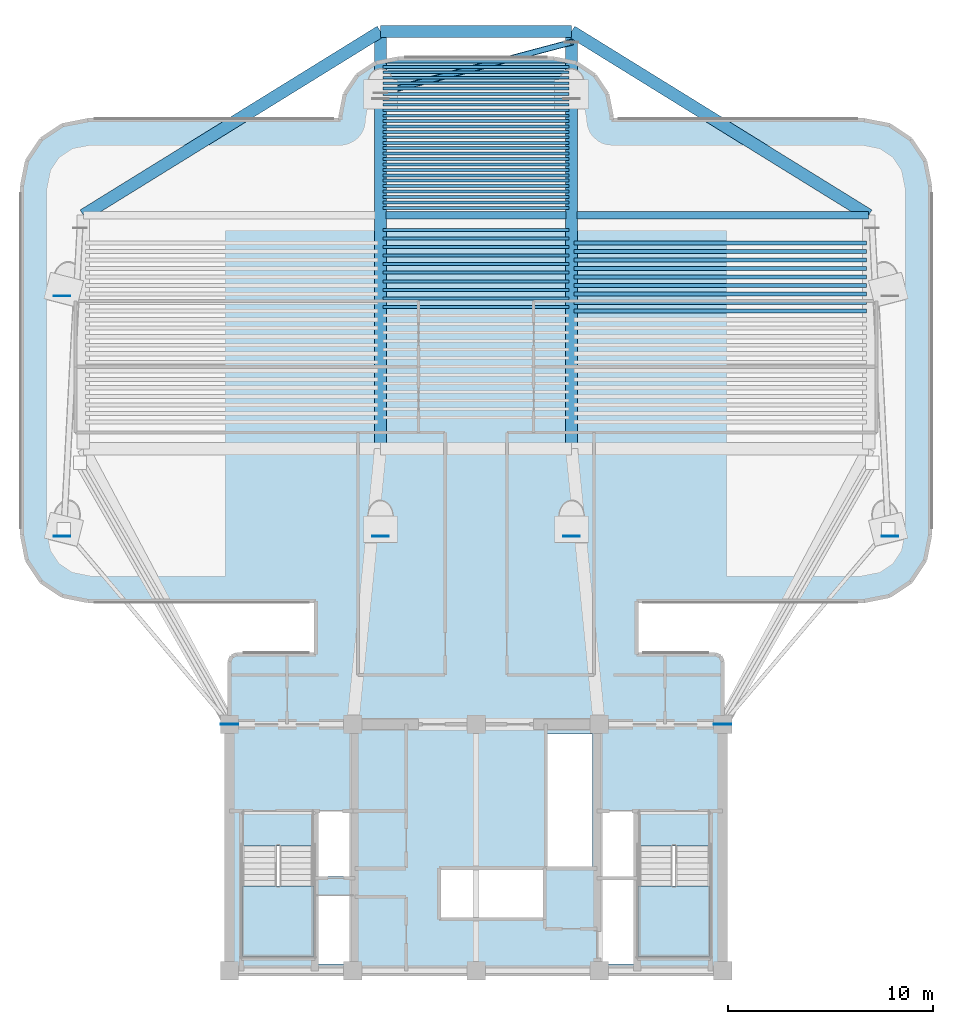
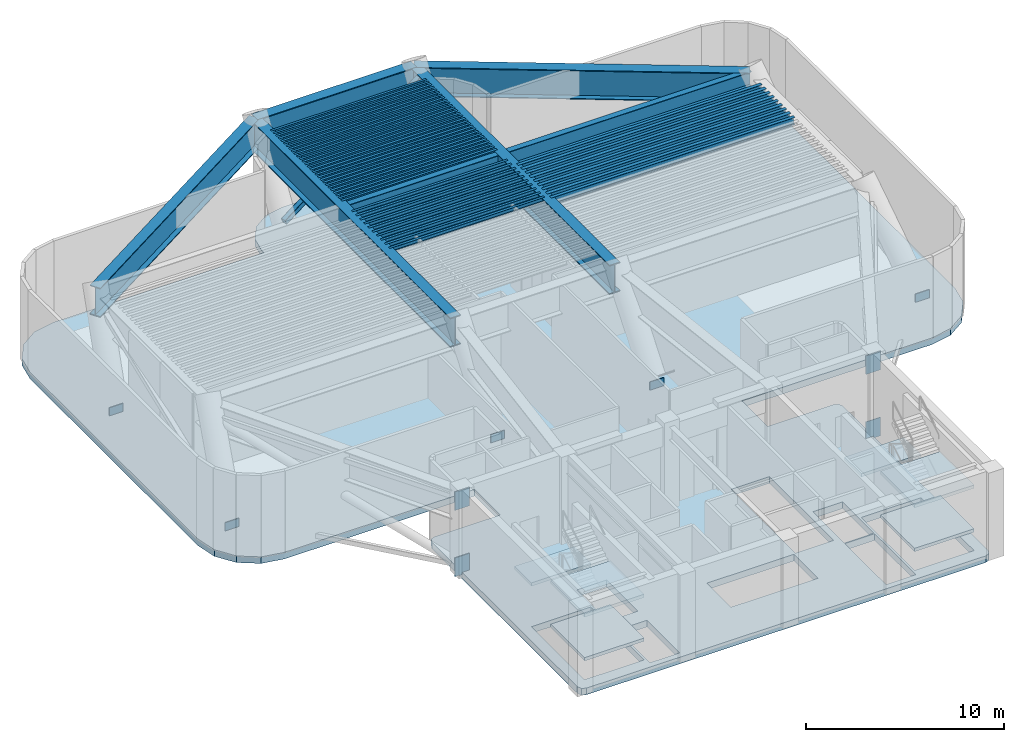
# One storey, part 2 of 10: 54 beams, 9 plates, 7 slabs, 1 member, 2 elements without a shape of their own.
"""IFC4 building model written with IfcOpenShell, lengths in metres."""

import ifcopenshell
import ifcopenshell.guid

model = None  # the IFC model being written
_history = None  # IfcOwnerHistory: only IFC2X3 demands one
_inside = {}  # id of a spatial element -> (the spatial element, [elements in it])
_under = {}  # id of a project, library or spatial element -> (it, [spatial elements below it])
_declared = {}  # id of a project -> (the project, [libraries it declares])
_typed = {}  # id of a type object -> (the type object, [elements of that type])
_made_of = {}  # id of a material, layer set ... -> (it, [elements and type objects made of it])


def new_model(schema):
    """Start an empty IFC model of exactly this schema.

    Asked for "IFC4X3", IfcOpenShell would pick the latest addendum, in which some entities
    have other attributes; the version numbers below select the first issue.
    IFC2X3 requires an IfcOwnerHistory on every rooted entity: one is made here for all.
    """
    global model, _history
    if schema == "IFC4X3":
        model = ifcopenshell.file(schema_version=(4, 3, 0, 0))
    else:
        model = ifcopenshell.file(schema=schema)
    _inside.clear()
    _under.clear()
    _declared.clear()
    _typed.clear()
    _made_of.clear()
    _history = None
    if model.schema == "IFC2X3":
        org = make("IfcOrganization", Name="unknown")
        user = make(
            "IfcPersonAndOrganization",
            ThePerson=make("IfcPerson", FamilyName="unknown"),
            TheOrganization=org,
        )
        app = make(
            "IfcApplication",
            ApplicationDeveloper=org,
            Version="unknown",
            ApplicationFullName="unknown",
            ApplicationIdentifier="unknown",
        )
        _history = make(
            "IfcOwnerHistory",
            OwningUser=user,
            OwningApplication=app,
            ChangeAction="ADDED",
            CreationDate=0,
        )
    return model


def make(cls, **values):
    """One entity of the class cls with the attributes given. An attribute that is None is left unset."""
    return model.create_entity(
        cls, **{name: value for name, value in values.items() if value is not None}
    )


def rooted(cls, **values):
    """An entity with a GlobalId (a new one), such as an element, a storey or a relation."""
    return make(cls, GlobalId=ifcopenshell.guid.new(), OwnerHistory=_history, **values)


def si_unit(unit_type, name, prefix=None):
    """IfcSIUnit, for example si_unit("LENGTHUNIT", "METRE", prefix="MILLI")."""
    return make("IfcSIUnit", UnitType=unit_type, Prefix=prefix, Name=name)


def assignment(units):
    """IfcUnitAssignment: the units of a project."""
    return None if units is None else make("IfcUnitAssignment", Units=units)


def point(xyz):
    """IfcCartesianPoint."""
    return None if xyz is None else make("IfcCartesianPoint", Coordinates=xyz)


def direction(xyz):
    """IfcDirection."""
    return None if xyz is None else make("IfcDirection", DirectionRatios=xyz)


def frame(location, z_axis=None, x_axis=None):
    """IfcAxis2Placement3D, a coordinate frame: its origin and axes. An axis left out is left unset."""
    return make(
        "IfcAxis2Placement3D",
        Location=point(location),
        Axis=direction(z_axis),
        RefDirection=direction(x_axis),
    )


def frame_2d(location, x_axis=None):
    """IfcAxis2Placement2D, a coordinate frame in the plane: its origin and x axis."""
    return make(
        "IfcAxis2Placement2D", Location=point(location), RefDirection=direction(x_axis)
    )


def origin():
    """The frame at (0, 0, 0) with its axes left unset."""
    return frame((0.0, 0.0, 0.0))


def origin_2d():
    """The frame at (0, 0) in the plane with its x axis left unset."""
    return frame_2d((0.0, 0.0))


def place(relative_to, where):
    """IfcLocalPlacement: puts the frame where relative to a parent placement (None: the world)."""
    return make(
        "IfcLocalPlacement", PlacementRelTo=relative_to, RelativePlacement=where
    )


def context(
    kind, dimensions, precision=None, world=None, true_north=None, identifier=None
):
    """IfcGeometricRepresentationContext, for example the 3D "Model" context."""
    return make(
        "IfcGeometricRepresentationContext",
        ContextIdentifier=identifier,
        ContextType=kind,
        CoordinateSpaceDimension=dimensions,
        Precision=precision,
        WorldCoordinateSystem=world,
        TrueNorth=true_north,
    )


def subcontext(parent, identifier, kind, view, scale=None):
    """IfcGeometricRepresentationSubContext, for example "Body" below "Model"."""
    return make(
        "IfcGeometricRepresentationSubContext",
        ContextIdentifier=identifier,
        ContextType=kind,
        ParentContext=parent,
        TargetScale=scale,
        TargetView=view,
    )


def project(units=None, contexts=None):
    """IfcProject with its units and contexts."""
    return rooted(
        "IfcProject",
        Name="project",
        RepresentationContexts=contexts,
        UnitsInContext=assignment(units),
    )


def spatial(cls, under=None, at=None, **own):
    """A site, building, storey or space (cls), placed at a placement, below another one or the project."""
    s = rooted(cls, ObjectPlacement=at, **own)
    if under is not None:
        _under.setdefault(under.id(), (under, []))[1].append(s)
    return s


def polyline(points):
    """IfcPolyline through the points."""
    return make("IfcPolyline", Points=[point(p) for p in points])


def profile(cls, at=None, kind="AREA", **sizes):
    """A parametric profile (cls). Its sizes go by their IFC names, for example OverallWidth=200.0."""
    return make(cls, ProfileType=kind, Position=at, **sizes)


def rectangle(**sizes):
    """IfcRectangleProfileDef."""
    return profile("IfcRectangleProfileDef", **sizes)


def hollow_rectangle(**sizes):
    """IfcRectangleHollowProfileDef."""
    return profile("IfcRectangleHollowProfileDef", **sizes)


def i_section(**sizes):
    """IfcIShapeProfileDef."""
    return profile("IfcIShapeProfileDef", **sizes)


def outline(outer, holes=None, kind="AREA"):
    """IfcArbitraryClosedProfileDef: a profile drawn as a closed curve; with holes, ...WithVoids."""
    if holes is None:
        return make("IfcArbitraryClosedProfileDef", ProfileType=kind, OuterCurve=outer)
    return make(
        "IfcArbitraryProfileDefWithVoids",
        ProfileType=kind,
        OuterCurve=outer,
        InnerCurves=holes,
    )


def extrude(swept, where, along, depth):
    """IfcExtrudedAreaSolid: the profile swept, set in the frame where, extruded along a direction by depth."""
    return make(
        "IfcExtrudedAreaSolid",
        SweptArea=swept,
        Position=where,
        ExtrudedDirection=direction(along),
        Depth=depth,
    )


def shape(context_of_items, identifier, shape_type, items):
    """IfcShapeRepresentation: the items that make up one representation, for example the "Body"."""
    return make(
        "IfcShapeRepresentation",
        ContextOfItems=context_of_items,
        RepresentationIdentifier=identifier,
        RepresentationType=shape_type,
        Items=items,
    )


def source(mapping_origin, context_of_items, identifier, shape_type, items):
    """IfcRepresentationMap: a shape defined once, which mapped items show again and again."""
    return make(
        "IfcRepresentationMap",
        MappingOrigin=mapping_origin,
        MappedRepresentation=shape(context_of_items, identifier, shape_type, items),
    )


def transform(
    local_origin,
    x_axis=None,
    y_axis=None,
    z_axis=None,
    scale=None,
    scale2=None,
    scale3=None,
    uniform=True,
):
    """IfcCartesianTransformationOperator3D, or its non-uniform kind. x_axis, y_axis, z_axis: its Axis1, 2, 3."""
    if uniform:
        return make(
            "IfcCartesianTransformationOperator3D",
            Axis1=direction(x_axis),
            Axis2=direction(y_axis),
            LocalOrigin=point(local_origin),
            Scale=scale,
            Axis3=direction(z_axis),
        )
    return make(
        "IfcCartesianTransformationOperator3DnonUniform",
        Axis1=direction(x_axis),
        Axis2=direction(y_axis),
        LocalOrigin=point(local_origin),
        Scale=scale,
        Axis3=direction(z_axis),
        Scale2=scale2,
        Scale3=scale3,
    )


def mapped(mapping_source, mapping_target):
    """IfcMappedItem: shows the shape of a source again, moved by a transform."""
    return make(
        "IfcMappedItem", MappingSource=mapping_source, MappingTarget=mapping_target
    )


def material(Name=None, Category=None):
    """IfcMaterial."""
    return make("IfcMaterial", Name=Name, Category=Category)


def layer(
    of_material, thickness, ventilated=None, Name=None, Category=None, Priority=None
):
    """IfcMaterialLayer: one layer of a wall or slab, of a material (None: an air gap)."""
    return make(
        "IfcMaterialLayer",
        Material=of_material,
        LayerThickness=thickness,
        IsVentilated=ventilated,
        Name=Name,
        Category=Category,
        Priority=Priority,
    )


def layer_set(layers, Name=None):
    """IfcMaterialLayerSet."""
    return make("IfcMaterialLayerSet", MaterialLayers=layers, LayerSetName=Name)


def material_profile(
    of_material, cross_section, Name=None, Category=None, Priority=None
):
    """IfcMaterialProfile: a cross section and its material."""
    return make(
        "IfcMaterialProfile",
        Name=Name,
        Material=of_material,
        Profile=cross_section,
        Priority=Priority,
        Category=Category,
    )


def profile_set(profiles, Name=None, composite=None):
    """IfcMaterialProfileSet."""
    return make(
        "IfcMaterialProfileSet",
        Name=Name,
        MaterialProfiles=profiles,
        CompositeProfile=composite,
    )


def made_of(thing, what):
    """Note that an element or type object is made of a material, layer set ...; save() writes the relation."""
    if what is not None:
        _made_of.setdefault(what.id(), (what, []))[1].append(thing)
    return thing


def type_object(cls, material=None, **own):
    """A type object (cls), such as IfcWallType, which elements share."""
    return made_of(rooted(cls, **own), material)


def element(
    cls,
    number,
    at=None,
    inside=None,
    cuts=None,
    type_object=None,
    material=None,
    context=None,
    identifier="Body",
    shape_type=None,
    held_by="IfcProductDefinitionShape",
    body=None,
    shapes=None,
    **own,
):
    """One element of the class cls, such as IfcWall. Its Tag is "e" and its number.

    at: its placement. inside: the storey or other place that contains it. cuts: it is an
    opening in that element (IfcRelVoidsElement). A single representation is given by context,
    identifier, shape_type and body (its items); several are given by shapes. held_by: the class
    of the entity that holds the representations. save() writes the other relations.
    """
    e = rooted(cls, Tag="e%d" % number, ObjectPlacement=at, **own)
    if body is not None:
        shapes = [shape(context, identifier, shape_type, body)]
    if shapes is not None:
        e.Representation = make(held_by, Representations=shapes)
    if inside is not None:
        _inside.setdefault(inside.id(), (inside, []))[1].append(e)
    if cuts is not None:
        rooted(
            "IfcRelVoidsElement", RelatingBuildingElement=cuts, RelatedOpeningElement=e
        )
    if type_object is not None:
        _typed.setdefault(type_object.id(), (type_object, []))[1].append(e)
    return made_of(e, material)


def aggregate(whole, parts):
    """IfcRelAggregates: a whole, such as a stair, and the parts it consists of."""
    return rooted("IfcRelAggregates", RelatingObject=whole, RelatedObjects=parts)


def save(model, path):
    """Write the relations noted so far, then the file.

    IfcRelAggregates (storeys below a building ...), IfcRelContainedInSpatialStructure (elements
    in a storey), IfcRelDefinesByType, IfcRelAssociatesMaterial and IfcRelDeclares: one each for
    every whole, place, type object, material and project.
    """
    for whole, parts in _under.values():
        aggregate(whole, parts)
    for where, things in _inside.values():
        rooted(
            "IfcRelContainedInSpatialStructure",
            RelatedElements=things,
            RelatingStructure=where,
        )
    for kind, things in _typed.values():
        rooted("IfcRelDefinesByType", RelatedObjects=things, RelatingType=kind)
    for what, things in _made_of.values():
        rooted("IfcRelAssociatesMaterial", RelatedObjects=things, RelatingMaterial=what)
    for by, libraries in _declared.values():
        rooted("IfcRelDeclares", RelatingContext=by, RelatedDefinitions=libraries)
    model.write(path)


model = new_model("IFC4")

# Units and contexts
model_context = context("Model", 3, precision=1e-05, world=origin(), true_north=direction((0.0, 1.0)))
body_context = subcontext(model_context, "Body", "Model", "MODEL_VIEW")
ifc_project = project(units=[si_unit("LENGTHUNIT", "METRE"), si_unit("AREAUNIT", "SQUARE_METRE"), si_unit("VOLUMEUNIT", "CUBIC_METRE"), si_unit("PLANEANGLEUNIT", "RADIAN"), si_unit("MASSUNIT", "GRAM", prefix="KILO")], contexts=[model_context])

# Site, building, storey
site_placement = place(None, origin())
site = spatial("IfcSite", under=ifc_project, at=site_placement, CompositionType="ELEMENT")
building_placement = place(site_placement, origin())
building = spatial("IfcBuilding", under=site, at=building_placement, Name="Brelvock Crest Care Tower", CompositionType="ELEMENT")
storey_placement = place(building_placement, frame((0.0, 0.0, 146.52001953125)))
storey = spatial("IfcBuildingStorey", under=building, at=storey_placement, Name="L37", CompositionType="ELEMENT", Elevation=146.52001953125)

# Beams
ifc_material_1 = material(Name="Steel Grade 350", Category="steel")
ifc_material_profile_1 = material_profile(ifc_material_1, i_section(OverallWidth=0.60009765625, OverallDepth=1.800048828125, WebThickness=0.028076171875, FlangeThickness=0.052001953125, at=origin_2d()), Name="1800TG740")
ifc_profile_set_1 = profile_set([ifc_material_profile_1], Name="Steel Grade 350")
beam_type_1 = type_object("IfcBeamType", Name="BM-TG1", PredefinedType="USERDEFINED", material=ifc_profile_set_1)
shared_shape_1 = source(origin(), body_context, "Body", "SweptSolid", [
    extrude(i_section(OverallWidth=0.60009765625, OverallDepth=1.800048828125, WebThickness=0.028076171875, FlangeThickness=0.052001953125, at=origin_2d()), origin(), (0.0, 0.0, 1.0), 9.2998046875),
])
beam_1_placement = place(storey_placement, frame((31.35009765625, 51.72265625, 4.179931640625), z_axis=(1.0, 0.0, 0.0), x_axis=(0.0, 1.0, 0.0)))
element("IfcBeam", 1, at=beam_1_placement, inside=storey, type_object=beam_type_1, Name="BM-TWR-L37-08", ObjectType="GIRDER", PredefinedType="USERDEFINED", context=body_context, shape_type="MappedRepresentation", body=[
    mapped(shared_shape_1, transform((0.0, 0.0, 0.0), x_axis=(1.0, 0.0, 0.0), y_axis=(0.0, 1.0, 0.0), z_axis=(0.0, 0.0, 1.0), scale=1.0)),
])
ifc_material_profile_2 = material_profile(ifc_material_1, i_section(OverallWidth=0.14599609375, OverallDepth=0.256103515625, WebThickness=0.00634765625, FlangeThickness=0.010986328125, FilletRadius=0.0087890625, at=origin_2d()), Name="250UB37.3")
ifc_profile_set_2 = profile_set([ifc_material_profile_2], Name="Steel Grade 350")
beam_type_2 = type_object("IfcBeamType", Name="BM-J3", PredefinedType="JOIST", material=ifc_profile_set_2)
shared_shape_2 = source(origin(), body_context, "Body", "SweptSolid", [
    extrude(i_section(OverallWidth=0.14599609375, OverallDepth=0.256103515625, WebThickness=0.00634765625, FlangeThickness=0.010986328125, FilletRadius=0.0087890625, at=origin_2d()), origin(), (0.0, 0.0, 1.0), 9.06982421875),
])
for number, where, z_axis, x_axis, name in (
    (2, (31.465087890625, 38.31640625, 4.951904296875), (1.0, 0.0, 0.0), (0.0, 1.0, 0.0), "BM-JH-L37-16"),
    (3, (31.465087890625, 38.7314453125, 4.951904296875), (1.0, 0.0, 0.0), (0.0, 1.0, 0.0), "BM-JH-L37-17"),
    (4, (31.465087890625, 39.146484375, 4.951904296875), (1.0, 0.0, 0.0), (0.0, 1.0, 0.0), "BM-JH-L37-18"),
    (5, (31.465087890625, 39.561767578125, 4.951904296875), (1.0, 0.0, 0.0), (0.0, 1.0, 0.0), "BM-JH-L37-19"),
    (6, (31.465087890625, 39.976806640625, 4.951904296875), (1.0, 0.0, 0.0), (0.0, 1.0, 0.0), "BM-JH-L37-20"),
    (7, (31.465087890625, 40.391845703125, 4.951904296875), (1.0, 0.0, 0.0), (0.0, 1.0, 0.0), "BM-JH-L37-21"),
    (8, (31.465087890625, 40.806884765625, 4.951904296875), (1.0, 0.0, 0.0), (0.0, 1.0, 0.0), "BM-JH-L37-22"),
    (9, (31.465087890625, 41.22216796875, 4.951904296875), (1.0, 0.0, 0.0), (0.0, 1.0, 0.0), "BM-JH-L37-23"),
    (10, (31.465087890625, 41.63720703125, 4.951904296875), (1.0, 0.0, 0.0), (0.0, 1.0, 0.0), "BM-JH-L37-24"),
    (11, (31.465087890625, 42.05224609375, 4.951904296875), (1.0, 0.0, 0.0), (0.0, 1.0, 0.0), "BM-JH-L37-25"),
    (12, (31.465087890625, 43.135009765625, 4.951904296875), (1.0, 0.0, 0.0), (0.0, 1.0, 0.0), "BM-JN-L37-1"),
    (13, (31.465087890625, 43.39892578125, 4.951904296875), (1.0, 0.0, 0.0), (0.0, 1.0, 0.0), "BM-JN-L37-2"),
    (14, (31.465087890625, 43.662841796875, 4.951904296875), (1.0, 0.0, 0.0), (0.0, 1.0, 0.0), "BM-JN-L37-3"),
    (15, (31.465087890625, 43.9267578125, 4.951904296875), (1.0, 0.0, 0.0), (0.0, 1.0, 0.0), "BM-JN-L37-4"),
    (16, (31.465087890625, 44.190673828125, 4.951904296875), (1.0, 0.0, 0.0), (0.0, 1.0, 0.0), "BM-JN-L37-5"),
    (17, (31.465087890625, 44.45458984375, 4.951904296875), (1.0, 0.0, 0.0), (0.0, 1.0, 0.0), "BM-JN-L37-6"),
    (18, (31.465087890625, 44.718505859375, 4.951904296875), (1.0, 0.0, 0.0), (0.0, 1.0, 0.0), "BM-JN-L37-7"),
    (19, (31.465087890625, 44.982421875, 4.951904296875), (1.0, 0.0, 0.0), (0.0, 1.0, 0.0), "BM-JN-L37-8"),
    (20, (31.465087890625, 45.24609375, 4.951904296875), (1.0, 0.0, 0.0), (0.0, 1.0, 0.0), "BM-JN-L37-9"),
    (21, (31.465087890625, 45.510009765625, 4.951904296875), (1.0, 0.0, 0.0), (0.0, 1.0, 0.0), "BM-JN-L37-10"),
    (22, (31.465087890625, 45.77392578125, 4.951904296875), (1.0, 0.0, 0.0), (0.0, 1.0, 0.0), "BM-JN-L37-11"),
    (23, (31.465087890625, 46.037841796875, 4.951904296875), (1.0, 0.0, 0.0), (0.0, 1.0, 0.0), "BM-JN-L37-12"),
    (24, (31.465087890625, 46.3017578125, 4.951904296875), (1.0, 0.0, 0.0), (0.0, 1.0, 0.0), "BM-JN-L37-13"),
):
    element("IfcBeam", number, at=place(storey_placement, frame(where, z_axis=z_axis, x_axis=x_axis)), inside=storey, type_object=beam_type_2, Name=name, PredefinedType="JOIST", context=body_context, shape_type="MappedRepresentation", body=[
        mapped(shared_shape_2, transform((0.0, 0.0, 0.0), x_axis=(1.0, 0.0, 0.0), y_axis=(0.0, 1.0, 0.0), z_axis=(0.0, 0.0, 1.0), scale=1.0)),
    ])
ifc_material_profile_3 = material_profile(ifc_material_1, i_section(OverallWidth=0.134033203125, OverallDepth=0.20703125, WebThickness=0.00634765625, FlangeThickness=0.009521484375, FilletRadius=0.0087890625, at=origin_2d()), Name="200UB29.8")
ifc_profile_set_3 = profile_set([ifc_material_profile_3], Name="Steel Grade 350")
beam_type_3 = type_object("IfcBeamType", Name="BM-J4", PredefinedType="JOIST", material=ifc_profile_set_3)
shared_shape_3 = source(origin(), body_context, "Body", "SweptSolid", [
    extrude(i_section(OverallWidth=0.134033203125, OverallDepth=0.20703125, WebThickness=0.00634765625, FlangeThickness=0.009521484375, FilletRadius=0.0087890625, at=origin_2d()), origin(), (0.0, 0.0, 1.0), 9.06982421875),
])
for number, where, z_axis, x_axis, name in (
    (25, (31.465087890625, 46.565673828125, 4.9765625), (1.0, 0.0, 0.0), (0.0, 1.0, 0.0), "BM-JN-L37-14"),
    (26, (31.465087890625, 46.82958984375, 4.9765625), (1.0, 0.0, 0.0), (0.0, 1.0, 0.0), "BM-JN-L37-15"),
    (27, (31.465087890625, 47.093505859375, 4.9765625), (1.0, 0.0, 0.0), (0.0, 1.0, 0.0), "BM-JN-L37-16"),
    (28, (31.465087890625, 47.357421875, 4.9765625), (1.0, 0.0, 0.0), (0.0, 1.0, 0.0), "BM-JN-L37-17"),
    (29, (31.465087890625, 47.62109375, 4.9765625), (1.0, 0.0, 0.0), (0.0, 1.0, 0.0), "BM-JN-L37-18"),
    (30, (31.465087890625, 47.885009765625, 4.9765625), (1.0, 0.0, 0.0), (0.0, 1.0, 0.0), "BM-JN-L37-19"),
    (31, (31.465087890625, 48.14892578125, 4.9765625), (1.0, 0.0, 0.0), (0.0, 1.0, 0.0), "BM-JN-L37-20"),
    (32, (31.465087890625, 48.412841796875, 4.9765625), (1.0, 0.0, 0.0), (0.0, 1.0, 0.0), "BM-JN-L37-21"),
    (33, (31.465087890625, 48.6767578125, 4.9765625), (1.0, 0.0, 0.0), (0.0, 1.0, 0.0), "BM-JN-L37-22"),
    (34, (31.465087890625, 48.940673828125, 4.9765625), (1.0, 0.0, 0.0), (0.0, 1.0, 0.0), "BM-JN-L37-23"),
    (35, (31.465087890625, 49.20458984375, 4.9765625), (1.0, 0.0, 0.0), (0.0, 1.0, 0.0), "BM-JN-L37-24"),
    (36, (31.465087890625, 49.468505859375, 4.9765625), (1.0, 0.0, 0.0), (0.0, 1.0, 0.0), "BM-JN-L37-25"),
    (37, (31.465087890625, 49.732421875, 4.9765625), (1.0, 0.0, 0.0), (0.0, 1.0, 0.0), "BM-JN-L37-26"),
    (38, (31.465087890625, 49.99609375, 4.9765625), (1.0, 0.0, 0.0), (0.0, 1.0, 0.0), "BM-JN-L37-27"),
    (39, (31.465087890625, 50.260009765625, 4.9765625), (1.0, 0.0, 0.0), (0.0, 1.0, 0.0), "BM-JN-L37-28"),
):
    element("IfcBeam", number, at=place(storey_placement, frame(where, z_axis=z_axis, x_axis=x_axis)), inside=storey, type_object=beam_type_3, Name=name, PredefinedType="JOIST", context=body_context, shape_type="MappedRepresentation", body=[
        mapped(shared_shape_3, transform((0.0, 0.0, 0.0), x_axis=(1.0, 0.0, 0.0), y_axis=(0.0, 1.0, 0.0), z_axis=(0.0, 0.0, 1.0), scale=1.0)),
    ])
ifc_material_profile_4 = material_profile(ifc_material_1, i_section(OverallWidth=0.35009765625, OverallDepth=0.89990234375, WebThickness=0.01611328125, FlangeThickness=0.028076171875, at=origin_2d()), Name="900WB257")
ifc_profile_set_4 = profile_set([ifc_material_profile_4], Name="Steel Grade 350")
beam_type_4 = type_object("IfcBeamType", Name="BM-G6", PredefinedType="BEAM", material=ifc_profile_set_4)
shared_shape_4 = source(origin(), body_context, "Body", "SweptSolid", [
    extrude(i_section(OverallWidth=0.35009765625, OverallDepth=0.89990234375, WebThickness=0.01611328125, FlangeThickness=0.028076171875, at=origin_2d()), origin(), (0.0, 0.0, 1.0), 8.77978515625),
])
beam_2_placement = place(storey_placement, frame((31.610107421875, 42.77734375, 4.6298828125), z_axis=(1.0, 0.0, 0.0), x_axis=(0.0, 1.0, 0.0)))
element("IfcBeam", 40, at=beam_2_placement, inside=storey, type_object=beam_type_4, Name="BM-TIE-L37-C", PredefinedType="BEAM", context=body_context, shape_type="MappedRepresentation", body=[
    mapped(shared_shape_4, transform((0.0, 0.0, 0.0), x_axis=(1.0, 0.0, 0.0), y_axis=(0.0, 1.0, 0.0), z_axis=(0.0, 0.0, 1.0), scale=1.0)),
])
shared_shape_5 = source(origin(), body_context, "Body", "SweptSolid", [
    extrude(i_section(OverallWidth=0.60009765625, OverallDepth=1.800048828125, WebThickness=0.028076171875, FlangeThickness=0.052001953125, at=origin_2d()), origin(), (0.0, 0.0, 1.0), 17.00634765625),
])
for number, where, z_axis, x_axis, name in (
    (41, (16.886474609375, 42.77734375, 4.179931640625), (0.850485046787, 0.525999225466, 0.0), (-0.525999225466, 0.850485046787, 0.0), "BM-TWR-L37-06"),
    (42, (40.64990234375, 51.72265625, 4.179931640625), (0.850485046787, -0.525999225466, 0.0), (0.525999225466, 0.850485046787, 0.0), "BM-TWR-L37-07"),
):
    element("IfcBeam", number, at=place(storey_placement, frame(where, z_axis=z_axis, x_axis=x_axis)), inside=storey, type_object=beam_type_1, Name=name, ObjectType="GIRDER", PredefinedType="USERDEFINED", context=body_context, shape_type="MappedRepresentation", body=[
        mapped(shared_shape_5, transform((0.0, 0.0, 0.0), x_axis=(1.0, 0.0, 0.0), y_axis=(0.0, 1.0, 0.0), z_axis=(0.0, 0.0, 1.0), scale=1.0)),
    ])
shared_shape_6 = source(origin(), body_context, "Body", "SweptSolid", [
    extrude(i_section(OverallWidth=0.60009765625, OverallDepth=1.800048828125, WebThickness=0.028076171875, FlangeThickness=0.052001953125, at=origin_2d()), origin(), (0.0, 0.0, 1.0), 20.318115234375),
])
for number, where, z_axis, x_axis, name in (
    (43, (31.35009765625, 31.404541015625, 4.179931640625), (0.0, 1.0, 0.0), (-1.0, 0.0, 0.0), "BM-TWR-L37-09"),
    (44, (40.64990234375, 31.404541015625, 4.179931640625), (0.0, 1.0, 0.0), (-1.0, 0.0, 0.0), "BM-TWR-L37-10"),
):
    element("IfcBeam", number, at=place(storey_placement, frame(where, z_axis=z_axis, x_axis=x_axis)), inside=storey, type_object=beam_type_1, Name=name, ObjectType="GIRDER", PredefinedType="USERDEFINED", context=body_context, shape_type="MappedRepresentation", body=[
        mapped(shared_shape_6, transform((0.0, 0.0, 0.0), x_axis=(1.0, 0.0, 0.0), y_axis=(0.0, 1.0, 0.0), z_axis=(0.0, 0.0, 1.0), scale=1.0)),
    ])
shared_shape_7 = source(origin(), body_context, "Body", "SweptSolid", [
    extrude(i_section(OverallWidth=0.35009765625, OverallDepth=0.89990234375, WebThickness=0.01611328125, FlangeThickness=0.028076171875, at=origin_2d()), origin(), (0.0, 0.0, 1.0), 14.20361328125),
])
beam_3_placement = place(storey_placement, frame((40.909912109375, 42.77734375, 4.6298828125), z_axis=(1.0, 0.0, 0.0), x_axis=(0.0, 1.0, 0.0)))
element("IfcBeam", 45, at=beam_3_placement, inside=storey, type_object=beam_type_4, Name="BM-TIE-L37-E", PredefinedType="BEAM", context=body_context, shape_type="MappedRepresentation", body=[
    mapped(shared_shape_7, transform((0.0, 0.0, 0.0), x_axis=(1.0, 0.0, 0.0), y_axis=(0.0, 1.0, 0.0), z_axis=(0.0, 0.0, 1.0), scale=1.0)),
])
ifc_material_profile_5 = material_profile(ifc_material_1, i_section(OverallWidth=0.208984375, OverallDepth=0.532958984375, WebThickness=0.01025390625, FlangeThickness=0.015625, FilletRadius=0.013916015625, at=origin_2d()), Name="530UB92.4")
ifc_profile_set_5 = profile_set([ifc_material_profile_5], Name="Steel Grade 350")
beam_type_5 = type_object("IfcBeamType", Name="BM-G2", PredefinedType="BEAM", material=ifc_profile_set_5)
shared_shape_8 = source(origin(), body_context, "Body", "SweptSolid", [
    extrude(i_section(OverallWidth=0.208984375, OverallDepth=0.532958984375, WebThickness=0.01025390625, FlangeThickness=0.015625, FilletRadius=0.013916015625, at=origin_2d()), origin(), (0.0, 0.0, 1.0), 14.233642578125),
])
for number, where, z_axis, x_axis, name in (
    (46, (40.764892578125, 38.52392578125, 4.8134765625), (1.0, 0.0, 0.0), (0.0, 1.0, 0.0), "BM-JE-L37-17"),
    (47, (40.764892578125, 39.35400390625, 4.8134765625), (1.0, 0.0, 0.0), (0.0, 1.0, 0.0), "BM-JE-L37-19"),
    (48, (40.764892578125, 40.184326171875, 4.8134765625), (1.0, 0.0, 0.0), (0.0, 1.0, 0.0), "BM-JE-L37-21"),
    (49, (40.764892578125, 41.014404296875, 4.8134765625), (1.0, 0.0, 0.0), (0.0, 1.0, 0.0), "BM-JE-L37-23"),
):
    element("IfcBeam", number, at=place(storey_placement, frame(where, z_axis=z_axis, x_axis=x_axis)), inside=storey, type_object=beam_type_5, Name=name, PredefinedType="BEAM", context=body_context, shape_type="MappedRepresentation", body=[
        mapped(shared_shape_8, transform((0.0, 0.0, 0.0), x_axis=(1.0, 0.0, 0.0), y_axis=(0.0, 1.0, 0.0), z_axis=(0.0, 0.0, 1.0), scale=1.0)),
    ])
ifc_material_profile_6 = material_profile(ifc_material_1, i_section(OverallWidth=0.19091796875, OverallDepth=0.4599609375, WebThickness=0.010009765625, FlangeThickness=0.01611328125, FilletRadius=0.011474609375, at=origin_2d()), Name="460UB82.1")
ifc_profile_set_6 = profile_set([ifc_material_profile_6], Name="Steel Grade 350")
beam_type_6 = type_object("IfcBeamType", Name="BM-G3", PredefinedType="BEAM", material=ifc_profile_set_6)
shared_shape_9 = source(origin(), body_context, "Body", "SweptSolid", [
    extrude(i_section(OverallWidth=0.19091796875, OverallDepth=0.4599609375, WebThickness=0.010009765625, FlangeThickness=0.01611328125, FilletRadius=0.011474609375, at=origin_2d()), origin(), (0.0, 0.0, 1.0), 14.233642578125),
])
for number, where, z_axis, x_axis, name in (
    (50, (40.764892578125, 38.10888671875, 4.85009765625), (1.0, 0.0, 0.0), (0.0, 1.0, 0.0), "BM-JE-L37-16"),
    (51, (40.764892578125, 38.93896484375, 4.85009765625), (1.0, 0.0, 0.0), (0.0, 1.0, 0.0), "BM-JE-L37-18"),
    (52, (40.764892578125, 39.769287109375, 4.85009765625), (1.0, 0.0, 0.0), (0.0, 1.0, 0.0), "BM-JE-L37-20"),
    (53, (40.764892578125, 40.599365234375, 4.85009765625), (1.0, 0.0, 0.0), (0.0, 1.0, 0.0), "BM-JE-L37-22"),
    (54, (40.764892578125, 41.4296875, 4.85009765625), (1.0, 0.0, 0.0), (0.0, 1.0, 0.0), "BM-JE-L37-24"),
):
    element("IfcBeam", number, at=place(storey_placement, frame(where, z_axis=z_axis, x_axis=x_axis)), inside=storey, type_object=beam_type_6, Name=name, PredefinedType="BEAM", context=body_context, shape_type="MappedRepresentation", body=[
        mapped(shared_shape_9, transform((0.0, 0.0, 0.0), x_axis=(1.0, 0.0, 0.0), y_axis=(0.0, 1.0, 0.0), z_axis=(0.0, 0.0, 1.0), scale=1.0)),
    ])

# Member
ifc_material_profile_7 = material_profile(ifc_material_1, hollow_rectangle(XDim=0.300048828125, YDim=0.300048828125, WallThickness=0.01611328125, OuterFilletRadius=0.031982421875, at=origin_2d()), Name="SHS300x300x16.0")
ifc_profile_set_7 = profile_set([ifc_material_profile_7], Name="Steel Grade 350")
member_type = type_object("IfcMemberType", Name="MEM-BR4", PredefinedType="BRACE", material=ifc_profile_set_7)
shared_shape_10 = source(origin(), body_context, "Body", "SweptSolid", [
    extrude(hollow_rectangle(XDim=0.300048828125, YDim=0.300048828125, WallThickness=0.01611328125, OuterFilletRadius=0.031982421875, at=origin_2d()), origin(), (0.0, 0.0, 1.0), 10.4521484375),
])
member_placement = place(storey_placement, frame((31.35009765625, 48.72265625, 0.449951171875), z_axis=(0.889750428494, 0.236569157298, 0.390357795889), x_axis=(-0.256955147612, 0.966423329662, 0.0)))
element("IfcMember", 55, at=member_placement, inside=storey, type_object=member_type, Name="L37 Belt Truss Brace BN-1", PredefinedType="BRACE", context=body_context, shape_type="MappedRepresentation", body=[
    mapped(shared_shape_10, transform((0.0, 0.0, 0.0), x_axis=(1.0, 0.0, 0.0), y_axis=(0.0, 1.0, 0.0), z_axis=(0.0, 0.0, 1.0), scale=1.0)),
])

# Slab
ifc_material_2 = material(Name="Concrete N50 (50 MPa)", Category="concrete")
ifc_layer_1 = layer(ifc_material_2, 0.407958984375, Name="SLB-FL5")
ifc_layer_set_1 = layer_set([ifc_layer_1], Name="Concrete N50 (50 MPa)")
slab_type_1 = type_object("IfcSlabType", Name="SLB-FL5", PredefinedType="FLOOR", material=ifc_layer_set_1)
slab_1_placement = place(storey_placement, frame((0.0, 0.0, -0.407958984375)))
element("IfcSlab", 56, at=slab_1_placement, inside=storey, type_object=slab_type_1, Name="L37 Main Structural Slab", PredefinedType="FLOOR", context=body_context, shape_type="SweptSolid", body=[
    extrude(outline(polyline([(47.64990234375, 21.39990234375), (43.800048828125, 21.39990234375), (43.800048828125, 24.0), (54.89990234375, 24.0), (56.12451171875, 24.24365234375), (57.16259765625, 24.937255859375), (57.8564453125, 25.975341796875), (58.10009765625, 27.199951171875), (58.10009765625, 44.199951171875), (57.8564453125, 45.424560546875), (57.16259765625, 46.462646484375), (56.12451171875, 47.156494140625), (54.89990234375, 47.39990234375), (42.60009765625, 47.39990234375), (42.60009765625, 47.60009765625), (42.386962890625, 48.67138671875), (41.77978515625, 49.579833984375), (40.87158203125, 50.18701171875), (39.800048828125, 50.39990234375), (32.199951171875, 50.39990234375), (31.12841796875, 50.18701171875), (30.22021484375, 49.579833984375), (29.613037109375, 48.67138671875), (29.39990234375, 47.60009765625), (29.39990234375, 47.39990234375), (17.10009765625, 47.39990234375), (15.87548828125, 47.156494140625), (14.83740234375, 46.462646484375), (14.1435546875, 45.424560546875), (13.89990234375, 44.199951171875), (13.89990234375, 27.199951171875), (14.1435546875, 25.975341796875), (14.83740234375, 24.937255859375), (15.87548828125, 24.24365234375), (17.10009765625, 24.0), (28.199951171875, 24.0), (28.199951171875, 21.39990234375), (24.35009765625, 21.39990234375), (24.1025390625, 21.297607421875), (24.0, 21.050048828125), (24.0, 6.35009765625), (24.1025390625, 6.1025390625), (24.35009765625, 6.0), (47.64990234375, 6.0), (47.8974609375, 6.1025390625), (48.0, 6.35009765625), (48.0, 21.050048828125), (47.8974609375, 21.297607421875), (47.64990234375, 21.39990234375)]), holes=[polyline([(28.239990234375, 10.580078125), (29.97998046875, 10.580078125), (29.97998046875, 13.739990234375), (28.239990234375, 13.739990234375), (28.239990234375, 10.580078125)]), polyline([(42.02001953125, 10.580078125), (43.760009765625, 10.580078125), (43.760009765625, 13.739990234375), (42.02001953125, 13.739990234375), (42.02001953125, 10.580078125)]), polyline([(28.239990234375, 6.340087890625), (29.97998046875, 6.340087890625), (29.97998046875, 9.64990234375), (28.239990234375, 9.64990234375), (28.239990234375, 6.340087890625)]), polyline([(24.6298828125, 12.080078125), (24.6298828125, 6.699951171875), (28.110107421875, 6.699951171875), (28.110107421875, 12.080078125), (24.6298828125, 12.080078125)]), polyline([(43.889892578125, 12.080078125), (43.889892578125, 6.699951171875), (47.3701171875, 6.699951171875), (47.3701171875, 12.080078125), (43.889892578125, 12.080078125)]), polyline([(42.02001953125, 6.340087890625), (43.760009765625, 6.340087890625), (43.760009765625, 10.5), (42.02001953125, 10.5), (42.02001953125, 6.340087890625)]), polyline([(34.22998046875, 8.530029296875), (39.320068359375, 8.530029296875), (39.320068359375, 10.969970703125), (34.22998046875, 10.969970703125), (34.22998046875, 8.530029296875)]), polyline([(39.429931640625, 11.030029296875), (41.669921875, 11.030029296875), (41.669921875, 17.52001953125), (39.429931640625, 17.52001953125), (39.429931640625, 11.030029296875)])]), origin(), (0.0, 0.0, 1.0), 0.407958984375),
])

# Stair, slabs
ifc_material_3 = material(Name="Concrete N40 (40 MPa)", Category="concrete")
stair_type = type_object("IfcStairType", Name="ST-CORE1", PredefinedType="HALF_TURN_STAIR", material=ifc_material_3)
stair_1_placement = place(storey_placement, origin())
stair_1 = element("IfcStair", 57, at=stair_1_placement, inside=storey, type_object=stair_type, Name="L37 Fire-Isolated Core Stair ST-1", PredefinedType="HALF_TURN_STAIR")
ifc_layer_2 = layer(ifc_material_3, 0.199951171875, Name="STL-1")
ifc_layer_set_2 = layer_set([ifc_layer_2], Name="Concrete N40 (40 MPa)")
slab_type_2 = type_object("IfcSlabType", Name="STL-1", PredefinedType="LANDING", material=ifc_layer_set_2)
slab_2_placement = place(storey_placement, frame((0.0, 0.0, 1.14990234375)))
slab_2 = element("IfcSlab", 58, at=slab_2_placement, type_object=slab_type_2, Name="ST-1 landing 1", PredefinedType="LANDING", context=body_context, shape_type="SweptSolid", body=[
    extrude(outline(polyline([(24.6298828125, 10.1201171875), (24.6298828125, 6.699951171875), (28.110107421875, 6.699951171875), (28.110107421875, 10.1201171875), (24.6298828125, 10.1201171875)])), origin(), (0.0, 0.0, 1.0), 0.2001953125),
])
slab_3_placement = place(storey_placement, frame((0.0, 0.0, 2.5)))
slab_3 = element("IfcSlab", 59, at=slab_3_placement, type_object=slab_type_2, Name="ST-1 landing 2", PredefinedType="LANDING", context=body_context, shape_type="SweptSolid", body=[
    extrude(outline(polyline([(24.6298828125, 13.780029296875), (24.6298828125, 12.080078125), (28.110107421875, 12.080078125), (28.110107421875, 13.780029296875), (24.6298828125, 13.780029296875)])), origin(), (0.0, 0.0, 1.0), 0.199951171875),
])
slab_4_placement = place(storey_placement, frame((0.0, 0.0, 3.85009765625)))
slab_4 = element("IfcSlab", 60, at=slab_4_placement, type_object=slab_type_2, Name="ST-1 landing 3", PredefinedType="LANDING", context=body_context, shape_type="SweptSolid", body=[
    extrude(outline(polyline([(24.6298828125, 10.1201171875), (24.6298828125, 6.699951171875), (28.110107421875, 6.699951171875), (28.110107421875, 10.1201171875), (24.6298828125, 10.1201171875)])), origin(), (0.0, 0.0, 1.0), 0.199951171875),
])
aggregate(stair_1, [slab_2, slab_3, slab_4])

stair_2_placement = place(storey_placement, origin())
stair_2 = element("IfcStair", 61, at=stair_2_placement, inside=storey, type_object=stair_type, Name="L37 Fire-Isolated Core Stair ST-2", PredefinedType="HALF_TURN_STAIR")
slab_5_placement = place(storey_placement, frame((0.0, 0.0, 1.14990234375)))
slab_5 = element("IfcSlab", 62, at=slab_5_placement, type_object=slab_type_2, Name="ST-2 landing 1", PredefinedType="LANDING", context=body_context, shape_type="SweptSolid", body=[
    extrude(outline(polyline([(43.889892578125, 10.1201171875), (43.889892578125, 6.699951171875), (47.3701171875, 6.699951171875), (47.3701171875, 10.1201171875), (43.889892578125, 10.1201171875)])), origin(), (0.0, 0.0, 1.0), 0.2001953125),
])
slab_6_placement = place(storey_placement, frame((0.0, 0.0, 2.5)))
slab_6 = element("IfcSlab", 63, at=slab_6_placement, type_object=slab_type_2, Name="ST-2 landing 2", PredefinedType="LANDING", context=body_context, shape_type="SweptSolid", body=[
    extrude(outline(polyline([(43.889892578125, 13.780029296875), (43.889892578125, 12.080078125), (47.3701171875, 12.080078125), (47.3701171875, 13.780029296875), (43.889892578125, 13.780029296875)])), origin(), (0.0, 0.0, 1.0), 0.199951171875),
])
slab_7_placement = place(storey_placement, frame((0.0, 0.0, 3.85009765625)))
slab_7 = element("IfcSlab", 64, at=slab_7_placement, type_object=slab_type_2, Name="ST-2 landing 3", PredefinedType="LANDING", context=body_context, shape_type="SweptSolid", body=[
    extrude(outline(polyline([(43.889892578125, 10.1201171875), (43.889892578125, 6.699951171875), (47.3701171875, 6.699951171875), (47.3701171875, 10.1201171875), (43.889892578125, 10.1201171875)])), origin(), (0.0, 0.0, 1.0), 0.199951171875),
])
aggregate(stair_2, [slab_5, slab_6, slab_7])

# Plates
plate_type_1 = type_object("IfcPlateType", Name="PLT-ON1", PredefinedType="USERDEFINED", material=ifc_material_1)
shared_shape_11 = source(origin(), body_context, "Body", "SweptSolid", [
    extrude(rectangle(XDim=0.85009765625, YDim=0.035888671875, at=origin_2d()), origin(), (0.0, 0.0, 1.0), 1.14990234375),
])
for number, where, z_axis, x_axis, name in (
    (65, (24.0, 18.0, -0.125), (0.0, 0.0, 1.0), (1.0, 0.0, 0.0), "PLT-OT-L37-W1-CB"),
    (66, (24.0, 18.0, 3.955078125), (0.0, 0.0, 1.0), (1.0, 0.0, 0.0), "PLT-OT-L37-W1-CT"),
    (67, (48.0, 18.0, -0.125), (0.0, 0.0, 1.0), (1.0, 0.0, 0.0), "PLT-OT-L37-E1-CB"),
    (68, (48.0, 18.0, 3.955078125), (0.0, 0.0, 1.0), (1.0, 0.0, 0.0), "PLT-OT-L37-E1-CT"),
):
    element("IfcPlate", number, at=place(storey_placement, frame(where, z_axis=z_axis, x_axis=x_axis)), inside=storey, type_object=plate_type_1, Name=name, ObjectType="GUSSET", PredefinedType="USERDEFINED", context=body_context, shape_type="MappedRepresentation", body=[
        mapped(shared_shape_11, transform((0.0, 0.0, 0.0), x_axis=(1.0, 0.0, 0.0), y_axis=(0.0, 1.0, 0.0), z_axis=(0.0, 0.0, 1.0), scale=1.0)),
    ])
plate_type_2 = type_object("IfcPlateType", Name="PLT-KN2", PredefinedType="USERDEFINED", material=ifc_material_1)
shared_shape_12 = source(origin(), body_context, "Body", "SweptSolid", [
    extrude(rectangle(XDim=0.800048828125, YDim=0.035888671875, at=origin_2d()), origin(), (0.0, 0.0, 1.0), 1.10009765625),
])
for number, where, z_axis, x_axis, name in (
    (69, (15.85009765625, 27.14990234375, -0.60009765625), (0.0, 0.0, 1.0), (1.0, 0.0, 0.0), "PLT-KINK-L37-01"),
    (70, (15.85009765625, 38.85009765625, -0.60009765625), (0.0, 0.0, 1.0), (1.0, 0.0, 0.0), "PLT-KINK-L37-02"),
    (71, (56.14990234375, 27.14990234375, -0.60009765625), (0.0, 0.0, 1.0), (1.0, 0.0, 0.0), "PLT-KINK-L37-03"),
    (72, (31.35009765625, 27.14990234375, -0.60009765625), (0.0, 0.0, 1.0), (1.0, 0.0, 0.0), "PLT-KINK-L37-05"),
    (73, (40.64990234375, 27.14990234375, -0.60009765625), (0.0, 0.0, 1.0), (1.0, 0.0, 0.0), "PLT-KINK-L37-06"),
):
    element("IfcPlate", number, at=place(storey_placement, frame(where, z_axis=z_axis, x_axis=x_axis)), inside=storey, type_object=plate_type_2, Name=name, ObjectType="GUSSET", PredefinedType="USERDEFINED", context=body_context, shape_type="MappedRepresentation", body=[
        mapped(shared_shape_12, transform((0.0, 0.0, 0.0), x_axis=(1.0, 0.0, 0.0), y_axis=(0.0, 1.0, 0.0), z_axis=(0.0, 0.0, 1.0), scale=1.0)),
    ])

save(model, "model.ifc")
